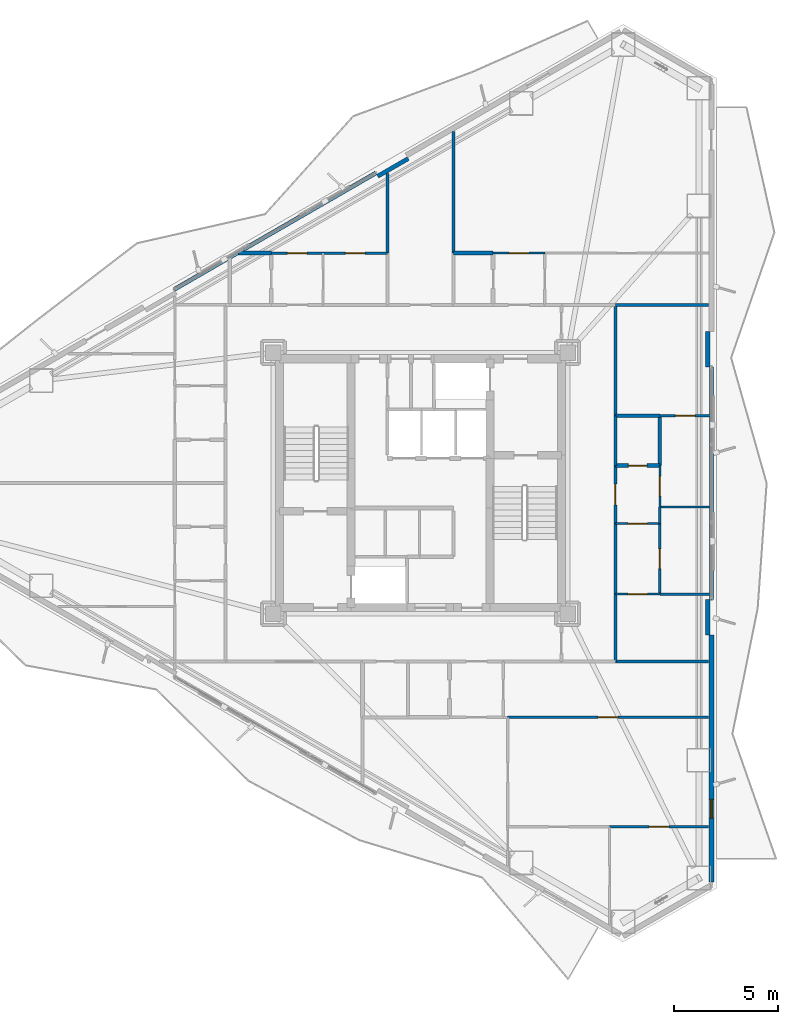
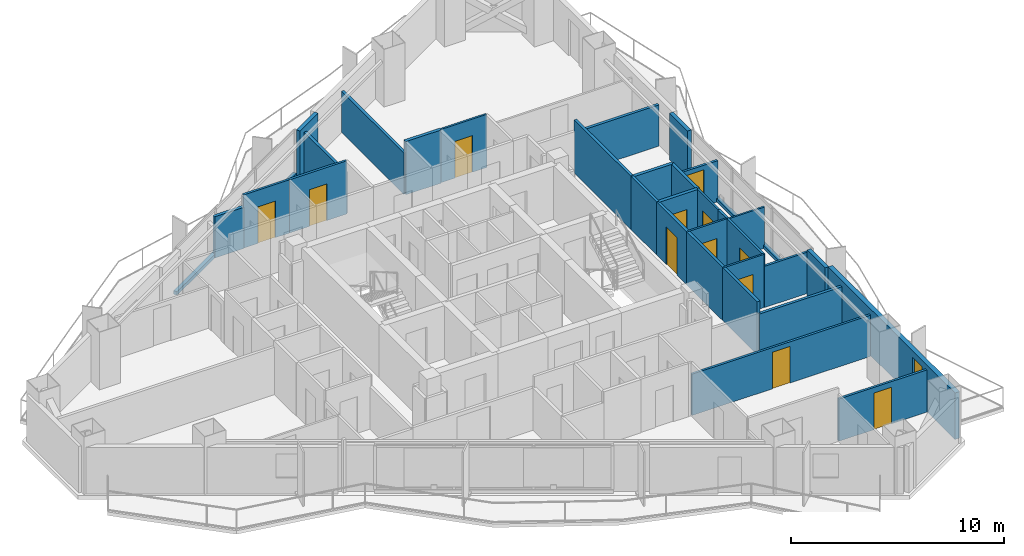
# One storey, part 19 of 23: 33 walls, 12 doors, 1 window, 13 openings.
"""IFC4 building model written with IfcOpenShell, lengths in metres."""

from ifc_helpers import new_model, si_unit, direction, frame, frame_2d, origin, place, context, subcontext, project, spatial, rectangle, extrude, material, layer, layer_set, type_object, element, fill, save


model = new_model("IFC4")

# Units and contexts
model_context = context("Model", 3, precision=1e-05, world=origin(), true_north=direction((0.0, 1.0)))
body_context = subcontext(model_context, "Body", "Model", "MODEL_VIEW")
ifc_project = project(units=[si_unit("LENGTHUNIT", "METRE"), si_unit("AREAUNIT", "SQUARE_METRE"), si_unit("VOLUMEUNIT", "CUBIC_METRE"), si_unit("PLANEANGLEUNIT", "RADIAN"), si_unit("MASSUNIT", "GRAM", prefix="KILO")], contexts=[model_context])

# Site, building, storey
site_placement = place(None, origin())
site = spatial("IfcSite", under=ifc_project, at=site_placement, CompositionType="ELEMENT")
building_placement = place(site_placement, origin())
building = spatial("IfcBuilding", under=site, at=building_placement, Name="Mersakhor Tower and Convention Hall", CompositionType="ELEMENT")
storey_placement = place(building_placement, frame((0.0, 0.0, 106.5)))
storey = spatial("IfcBuildingStorey", under=building, at=storey_placement, Name="L29", CompositionType="ELEMENT", Elevation=106.5)

# Wall, opening, window
ifc_material_1 = material(Name="Precast concrete C40/50", Category="concrete")
ifc_layer_1 = layer(ifc_material_1, 0.25)
ifc_layer_set_1 = layer_set([ifc_layer_1], Name="Precast concrete C40/50")
wall_type_1 = type_object("IfcWallType", Name="WL-EXT-250", PredefinedType="SOLIDWALL", material=ifc_layer_set_1)
wall_1_placement = place(storey_placement, frame((43.03466796875, 19.435302734375, 0.0), z_axis=(0.0, 0.0, 1.0), x_axis=(0.0, -1.0, 0.0)))
wall_1 = element("IfcWall", 1, at=wall_1_placement, inside=storey, type_object=wall_type_1, Name="L29 Exterior Facade Wall F2-B3", PredefinedType="SOLIDWALL", context=body_context, shape_type="SweptSolid", body=[
    extrude(rectangle(XDim=11.9296875, YDim=0.25, at=frame_2d((5.96484375, 0.0))), origin(), (0.0, 0.0, 1.0), 2.669921875),
])
opening_1_placement = place(wall_1_placement, frame((7.94091796875, 0.0, 0.89990234375)))
opening_1 = element("IfcOpeningElement", 2, at=opening_1_placement, cuts=wall_1, Name="Opening W-06", PredefinedType="OPENING", context=body_context, shape_type="SweptSolid", body=[
    extrude(rectangle(XDim=0.89990234375, YDim=1.39990234375, at=frame_2d((0.449951171875, 0.699951171875))), frame((0.0, 0.135009765625, 0.0), z_axis=(0.0, -1.0, 0.0), x_axis=(1.0, 0.0, 0.0)), (0.0, 0.0, 1.0), 0.27001953125),
])
ifc_material_2 = material(Name="Dark solar low-E glazed aluminium window", Category="aluminium")
window_type = type_object("IfcWindowType", Name="WN-STD-090x140", PartitioningType="SINGLE_PANEL", PredefinedType="WINDOW", material=ifc_material_2)
window_placement = place(opening_1_placement, origin())
window = element("IfcWindow", 3, at=window_placement, inside=storey, type_object=window_type, Name="L29 Facade Punched Window F2-B3", OverallHeight=1.39990234375, OverallWidth=0.89990234375, PartitioningType="SINGLE_PANEL", PredefinedType="WINDOW", context=body_context, shape_type="SweptSolid", body=[
    extrude(rectangle(XDim=0.89990234375, YDim=1.39990234375, at=frame_2d((0.449951171875, 0.699951171875))), frame((0.0, 0.030029296875, 0.0), z_axis=(0.0, -1.0, 0.0), x_axis=(1.0, 0.0, 0.0)), (0.0, 0.0, 1.0), 0.06005859375),
])
fill(opening_1, window)

# Walls
ifc_material_3 = material(Name="Precast concrete C40/50", Category="concrete")
ifc_layer_2 = layer(ifc_material_3, 0.199951171875)
ifc_layer_set_2 = layer_set([ifc_layer_2], Name="Precast concrete C40/50")
wall_type_2 = type_object("IfcWallType", Name="WL-PAR-200", PredefinedType="PARAPET", material=ifc_layer_set_2)
wall_2_placement = place(storey_placement, frame((17.1201171875, 36.096923828125, 0.0), z_axis=(0.0, 0.0, 1.0), x_axis=(0.866027010039, 0.499997217876, 0.0)))
element("IfcWall", 4, at=wall_2_placement, inside=storey, type_object=wall_type_2, Name="L29 Curtain Wall Upstand Sill F1-B2", PredefinedType="PARAPET", context=body_context, shape_type="SweptSolid", body=[
    extrude(rectangle(XDim=11.2294921875, YDim=0.199951171875, at=frame_2d((5.61474609375, 0.0))), origin(), (0.0, 0.0, 1.0), 0.199951171875),
])
wall_3_placement = place(storey_placement, frame((26.935302734375, 41.555908203125, 0.0), z_axis=(0.0, 0.0, 1.0), x_axis=(0.86605165483, 0.499954529098, 0.0)))
element("IfcWall", 5, at=wall_3_placement, inside=storey, type_object=wall_type_2, Name="L29 Column Pier Cladding Wall F1-C2", PredefinedType="PARAPET", context=body_context, shape_type="SweptSolid", body=[
    extrude(rectangle(XDim=1.699951171875, YDim=0.199951171875, at=frame_2d((0.85009765625, 0.0))), origin(), (0.0, 0.0, 1.0), 2.669921875),
])
wall_4_placement = place(storey_placement, frame((43.03466796875, 32.36474609375, 0.0), z_axis=(0.0, 0.0, 1.0), x_axis=(0.0, -1.0, 0.0)))
element("IfcWall", 6, at=wall_4_placement, inside=storey, type_object=wall_type_2, Name="L29 Curtain Wall Upstand Sill F2-B2", PredefinedType="PARAPET", context=body_context, shape_type="SweptSolid", body=[
    extrude(rectangle(XDim=11.2294921875, YDim=0.199951171875, at=frame_2d((5.61474609375, 0.0))), origin(), (0.0, 0.0, 1.0), 0.199951171875),
])
for number, where, z_axis, x_axis, name in (
    (7, (42.8544921875, 34.064697265625, 0.0), (0.0, 0.0, 1.0), (0.0, -1.0, 0.0), "L29 Column Pier Cladding Wall F2-C1"),
    (8, (42.8544921875, 21.13525390625, 0.0), (0.0, 0.0, 1.0), (0.0, -1.0, 0.0), "L29 Column Pier Cladding Wall F2-C2"),
):
    element("IfcWall", number, at=place(storey_placement, frame(where, z_axis=z_axis, x_axis=x_axis)), inside=storey, type_object=wall_type_2, Name=name, PredefinedType="PARAPET", context=body_context, shape_type="SweptSolid", body=[
        extrude(rectangle(XDim=1.699951171875, YDim=0.199951171875, at=frame_2d((0.85009765625, 0.0))), origin(), (0.0, 0.0, 1.0), 2.669921875),
    ])

# Wall, opening, door
ifc_material_4 = material(Name="Moisture-resistant acoustic drywall studwork", Category="other")
ifc_layer_3 = layer(ifc_material_4, 0.175048828125)
ifc_layer_set_3 = layer_set([ifc_layer_3], Name="Moisture-resistant acoustic drywall studwork")
wall_type_3 = type_object("IfcWallType", Name="WL-PLM-175", PredefinedType="PLUMBINGWALL", material=ifc_layer_set_3)
wall_5_placement = place(storey_placement, frame((38.39990234375, 27.60009765625, 0.0), z_axis=(0.0, 0.0, 1.0), x_axis=(1.0, 0.0, 0.0)))
wall_5 = element("IfcWall", 9, at=wall_5_placement, inside=storey, type_object=wall_type_3, Name="L29 Interior Partition Wall P-083", PredefinedType="PLUMBINGWALL", context=body_context, shape_type="SweptSolid", body=[
    extrude(rectangle(XDim=2.150146484375, YDim=0.175048828125, at=frame_2d((1.0751953125, 0.0))), origin(), (0.0, 0.0, 1.0), 3.050048828125),
])
opening_2_placement = place(wall_5_placement, frame((0.625, 0.0, 0.0)))
opening_2 = element("IfcOpeningElement", 10, at=opening_2_placement, cuts=wall_5, Name="Opening WD-01", PredefinedType="OPENING", context=body_context, shape_type="SweptSolid", body=[
    extrude(rectangle(XDim=0.89990234375, YDim=2.10009765625, at=frame_2d((0.449951171875, 1.050048828125))), frame((0.0, 0.097412109375, 0.0), z_axis=(0.0, -1.0, 0.0), x_axis=(1.0, 0.0, 0.0)), (0.0, 0.0, 1.0), 0.195068359375),
])
ifc_material_5 = material(Name="Solid-core hardwood leaf in painted steel frame", Category="steel")
door_type_1 = type_object("IfcDoorType", Name="DR-INT-WET-090x210", OperationType="NOTDEFINED", PredefinedType="DOOR", material=ifc_material_5)
door_1_placement = place(opening_2_placement, origin())
door_1 = element("IfcDoor", 11, at=door_1_placement, inside=storey, type_object=door_type_1, Name="L29 L29 Flat E6 Apartment Hall to L29 Flat E6 Bathroom Door", OperationType="SINGLE_SWING_LEFT", OverallHeight=2.10009765625, OverallWidth=0.89990234375, PredefinedType="DOOR", context=body_context, shape_type="SweptSolid", body=[
    extrude(rectangle(XDim=0.89990234375, YDim=2.10009765625, at=frame_2d((0.449951171875, 1.050048828125))), frame((0.0, 0.02490234375, 0.0), z_axis=(0.0, -1.0, 0.0), x_axis=(1.0, 0.0, 0.0)), (0.0, 0.0, 1.0), 0.050048828125),
])
fill(opening_2, door_1)

# Walls
wall_6_placement = place(storey_placement, frame((20.221923828125, 37.85009765625, 0.0), z_axis=(0.0, 0.0, 1.0), x_axis=(1.0, 0.0, 0.0)))
element("IfcWall", 12, at=wall_6_placement, inside=storey, type_object=wall_type_3, Name="L29 Interior Partition Wall P-088", PredefinedType="PLUMBINGWALL", context=body_context, shape_type="SweptSolid", body=[
    extrude(rectangle(XDim=1.578125, YDim=0.175048828125, at=frame_2d((0.7890625, 0.0))), origin(), (0.0, 0.0, 1.0), 2.364990234375),
])
wall_7_placement = place(storey_placement, frame((30.60009765625, 37.85009765625, 0.0), z_axis=(0.0, 0.0, 1.0), x_axis=(1.0, 0.0, 0.0)))
element("IfcWall", 13, at=wall_7_placement, inside=storey, type_object=wall_type_3, Name="L29 Interior Partition Wall P-091", PredefinedType="PLUMBINGWALL", context=body_context, shape_type="SweptSolid", body=[
    extrude(rectangle(XDim=1.89990234375, YDim=0.175048828125, at=frame_2d((0.949951171875, 0.0))), origin(), (0.0, 0.0, 1.0), 3.050048828125),
])
wall_8_placement = place(storey_placement, frame((40.550048828125, 30.0, 0.0), z_axis=(0.0, 0.0, 1.0), x_axis=(0.0, -1.0, 0.0)))
element("IfcWall", 14, at=wall_8_placement, inside=storey, type_object=wall_type_3, Name="L29 Interior Partition Wall P-108", PredefinedType="PLUMBINGWALL", context=body_context, shape_type="SweptSolid", body=[
    extrude(rectangle(XDim=2.39990234375, YDim=0.175048828125, at=frame_2d((1.199951171875, 0.0))), origin(), (0.0, 0.0, 1.0), 3.050048828125),
])
wall_9_placement = place(storey_placement, frame((38.39990234375, 30.0, 0.0), z_axis=(0.0, 0.0, 1.0), x_axis=(1.0, 0.0, 0.0)))
element("IfcWall", 15, at=wall_9_placement, inside=storey, type_object=wall_type_3, Name="L29 Interior Partition Wall P-109", PredefinedType="PLUMBINGWALL", context=body_context, shape_type="SweptSolid", body=[
    extrude(rectangle(XDim=2.150146484375, YDim=0.175048828125, at=frame_2d((1.0751953125, 0.0))), origin(), (0.0, 0.0, 1.0), 3.050048828125),
])

# Wall, opening, door
ifc_material_6 = material(Name="Lightweight gypsum partition", Category="other")
ifc_layer_4 = layer(ifc_material_6, 0.10009765625)
ifc_layer_set_4 = layer_set([ifc_layer_4], Name="Lightweight gypsum partition")
wall_type_4 = type_object("IfcWallType", Name="WL-PRT-100", PredefinedType="PARTITIONING", material=ifc_layer_set_4)
wall_10_placement = place(storey_placement, frame((32.5, 37.85009765625, 0.0), z_axis=(0.0, 0.0, 1.0), x_axis=(1.0, 0.0, 0.0)))
wall_10 = element("IfcWall", 16, at=wall_10_placement, inside=storey, type_object=wall_type_4, Name="L29 Interior Partition Wall P-068", PredefinedType="PARTITIONING", context=body_context, shape_type="SweptSolid", body=[
    extrude(rectangle(XDim=2.5, YDim=0.10009765625, at=frame_2d((1.25, 0.0))), origin(), (0.0, 0.0, 1.0), 3.050048828125),
])
opening_3_placement = place(wall_10_placement, frame((0.77490234375, 0.0, 0.0)))
opening_3 = element("IfcOpeningElement", 17, at=opening_3_placement, cuts=wall_10, Name="Opening RD-01", PredefinedType="OPENING", context=body_context, shape_type="SweptSolid", body=[
    extrude(rectangle(XDim=0.949951171875, YDim=2.10009765625, at=frame_2d((0.47509765625, 1.050048828125))), frame((0.0, 0.06005859375, 0.0), z_axis=(0.0, -1.0, 0.0), x_axis=(1.0, 0.0, 0.0)), (0.0, 0.0, 1.0), 0.1201171875),
])
ifc_material_7 = material(Name="Solid-core hardwood leaf in painted steel frame", Category="steel")
door_type_2 = type_object("IfcDoorType", Name="DR-INT-RM-095x210", OperationType="NOTDEFINED", PredefinedType="DOOR", material=ifc_material_7)
door_2_placement = place(opening_3_placement, origin())
door_2 = element("IfcDoor", 18, at=door_2_placement, inside=storey, type_object=door_type_2, Name="L29 L29 Flat N2 Apartment Hall to L29 Flat N2 Studio Living and Sleeping Room Door", OperationType="SINGLE_SWING_LEFT", OverallHeight=2.10009765625, OverallWidth=0.949951171875, PredefinedType="DOOR", context=body_context, shape_type="SweptSolid", body=[
    extrude(rectangle(XDim=0.949951171875, YDim=2.10009765625, at=frame_2d((0.47509765625, 1.050048828125))), frame((0.0, 0.02490234375, 0.0), z_axis=(0.0, -1.0, 0.0), x_axis=(1.0, 0.0, 0.0)), (0.0, 0.0, 1.0), 0.050048828125),
])
fill(opening_3, door_2)

wall_11_placement = place(storey_placement, frame((40.550048828125, 27.60009765625, 0.0), z_axis=(0.0, 0.0, 1.0), x_axis=(0.0, -1.0, 0.0)))
wall_11 = element("IfcWall", 19, at=wall_11_placement, inside=storey, type_object=wall_type_4, Name="L29 Interior Partition Wall P-080", PredefinedType="PARTITIONING", context=body_context, shape_type="SweptSolid", body=[
    extrude(rectangle(XDim=2.0, YDim=0.10009765625, at=frame_2d((1.0, 0.0))), origin(), (0.0, 0.0, 1.0), 3.050048828125),
])
opening_4_placement = place(wall_11_placement, frame((0.52490234375, 0.0, 0.0)))
opening_4 = element("IfcOpeningElement", 20, at=opening_4_placement, cuts=wall_11, Name="Opening RD-01", PredefinedType="OPENING", context=body_context, shape_type="SweptSolid", body=[
    extrude(rectangle(XDim=0.949951171875, YDim=2.10009765625, at=frame_2d((0.47509765625, 1.050048828125))), frame((0.0, 0.06005859375, 0.0), z_axis=(0.0, -1.0, 0.0), x_axis=(1.0, 0.0, 0.0)), (0.0, 0.0, 1.0), 0.1201171875),
])
door_3_placement = place(opening_4_placement, origin())
door_3 = element("IfcDoor", 21, at=door_3_placement, inside=storey, type_object=door_type_2, Name="L29 L29 Flat E6 Apartment Hall to L29 Flat E6 Master Bedroom Door", OperationType="SINGLE_SWING_RIGHT", OverallHeight=2.10009765625, OverallWidth=0.949951171875, PredefinedType="DOOR", context=body_context, shape_type="SweptSolid", body=[
    extrude(rectangle(XDim=0.949951171875, YDim=2.10009765625, at=frame_2d((0.47509765625, 1.050048828125))), frame((0.0, 0.02490234375, 0.0), z_axis=(0.0, -1.0, 0.0), x_axis=(1.0, 0.0, 0.0)), (0.0, 0.0, 1.0), 0.050048828125),
])
fill(opening_4, door_3)

wall_12_placement = place(storey_placement, frame((40.550048828125, 24.800048828125, 0.0), z_axis=(0.0, 0.0, 1.0), x_axis=(-1.0, 0.0, 0.0)))
wall_12 = element("IfcWall", 22, at=wall_12_placement, inside=storey, type_object=wall_type_4, Name="L29 Interior Partition Wall P-082", PredefinedType="PARTITIONING", context=body_context, shape_type="SweptSolid", body=[
    extrude(rectangle(XDim=2.150146484375, YDim=0.10009765625, at=frame_2d((1.0751953125, 0.0))), origin(), (0.0, 0.0, 1.0), 3.050048828125),
])
opening_5_placement = place(wall_12_placement, frame((0.60009765625, 0.0, 0.0)))
opening_5 = element("IfcOpeningElement", 23, at=opening_5_placement, cuts=wall_12, Name="Opening RD-01", PredefinedType="OPENING", context=body_context, shape_type="SweptSolid", body=[
    extrude(rectangle(XDim=0.949951171875, YDim=2.10009765625, at=frame_2d((0.47509765625, 1.050048828125))), frame((0.0, 0.06005859375, 0.0), z_axis=(0.0, -1.0, 0.0), x_axis=(1.0, 0.0, 0.0)), (0.0, 0.0, 1.0), 0.1201171875),
])
door_4_placement = place(opening_5_placement, origin())
door_4 = element("IfcDoor", 24, at=door_4_placement, inside=storey, type_object=door_type_2, Name="L29 L29 Flat E6 Apartment Hall to L29 Flat E6 Dining Alcove Door", OperationType="SINGLE_SWING_LEFT", OverallHeight=2.10009765625, OverallWidth=0.949951171875, PredefinedType="DOOR", context=body_context, shape_type="SweptSolid", body=[
    extrude(rectangle(XDim=0.949951171875, YDim=2.10009765625, at=frame_2d((0.47509765625, 1.050048828125))), frame((0.0, 0.02490234375, 0.0), z_axis=(0.0, -1.0, 0.0), x_axis=(1.0, 0.0, 0.0)), (0.0, 0.0, 1.0), 0.050048828125),
])
fill(opening_5, door_4)

wall_13_placement = place(storey_placement, frame((38.39990234375, 21.39990234375, 0.0), z_axis=(0.0, 0.0, 1.0), x_axis=(1.0, 0.0, 0.0)))
wall_13 = element("IfcWall", 25, at=wall_13_placement, inside=storey, type_object=wall_type_4, Name="L29 Interior Partition Wall P-110", PredefinedType="PARTITIONING", context=body_context, shape_type="SweptSolid", body=[
    extrude(rectangle(XDim=2.150146484375, YDim=0.10009765625, at=frame_2d((1.0751953125, 0.0))), origin(), (0.0, 0.0, 1.0), 3.050048828125),
])
opening_6_placement = place(wall_13_placement, frame((0.60009765625, 0.0, 0.0)))
opening_6 = element("IfcOpeningElement", 26, at=opening_6_placement, cuts=wall_13, Name="Opening RD-01", PredefinedType="OPENING", context=body_context, shape_type="SweptSolid", body=[
    extrude(rectangle(XDim=0.949951171875, YDim=2.10009765625, at=frame_2d((0.47509765625, 1.050048828125))), frame((0.0, 0.06005859375, 0.0), z_axis=(0.0, -1.0, 0.0), x_axis=(1.0, 0.0, 0.0)), (0.0, 0.0, 1.0), 0.1201171875),
])
door_5_placement = place(opening_6_placement, origin())
door_5 = element("IfcDoor", 27, at=door_5_placement, inside=storey, type_object=door_type_2, Name="L29 L29 Flat E6 Kitchen to L29 Flat E6 Dining Alcove Door", OperationType="SINGLE_SWING_LEFT", OverallHeight=2.10009765625, OverallWidth=0.949951171875, PredefinedType="DOOR", context=body_context, shape_type="SweptSolid", body=[
    extrude(rectangle(XDim=0.949951171875, YDim=2.10009765625, at=frame_2d((0.47509765625, 1.050048828125))), frame((0.0, 0.02490234375, 0.0), z_axis=(0.0, -1.0, 0.0), x_axis=(1.0, 0.0, 0.0)), (0.0, 0.0, 1.0), 0.050048828125),
])
fill(opening_6, door_5)

# Wall
wall_14_placement = place(storey_placement, frame((42.99853515625, 25.60009765625, 0.0), z_axis=(0.0, 0.0, 1.0), x_axis=(-1.0, 0.0, 0.0)))
element("IfcWall", 28, at=wall_14_placement, inside=storey, type_object=wall_type_4, Name="L29 Interior Partition Wall P-130", PredefinedType="PARTITIONING", context=body_context, shape_type="SweptSolid", body=[
    extrude(rectangle(XDim=2.448486328125, YDim=0.10009765625, at=frame_2d((1.22412109375, 0.0))), origin(), (0.0, 0.0, 1.0), 2.364990234375),
])

# Wall, opening, door
ifc_material_8 = material(Name="Gypsum board acoustic partition", Category="other")
ifc_layer_5 = layer(ifc_material_8, 0.125)
ifc_layer_set_5 = layer_set([ifc_layer_5], Name="Gypsum board acoustic partition")
wall_type_5 = type_object("IfcWallType", Name="WL-PRT-125", PredefinedType="PARTITIONING", material=ifc_layer_set_5)
wall_15_placement = place(storey_placement, frame((21.800048828125, 37.85009765625, 0.0), z_axis=(0.0, 0.0, 1.0), x_axis=(1.0, 0.0, 0.0)))
wall_15 = element("IfcWall", 29, at=wall_15_placement, inside=storey, type_object=wall_type_5, Name="L29 Interior Partition Wall P-065", PredefinedType="PARTITIONING", context=body_context, shape_type="SweptSolid", body=[
    extrude(rectangle(XDim=2.5, YDim=0.125, at=frame_2d((1.25, 0.0))), origin(), (0.0, 0.0, 1.0), 3.050048828125),
])
opening_7_placement = place(wall_15_placement, frame((0.77490234375, 0.0, 0.0)))
opening_7 = element("IfcOpeningElement", 30, at=opening_7_placement, cuts=wall_15, Name="Opening RD-01", PredefinedType="OPENING", context=body_context, shape_type="SweptSolid", body=[
    extrude(rectangle(XDim=0.949951171875, YDim=2.10009765625, at=frame_2d((0.47509765625, 1.050048828125))), frame((0.0, 0.072509765625, 0.0), z_axis=(0.0, -1.0, 0.0), x_axis=(1.0, 0.0, 0.0)), (0.0, 0.0, 1.0), 0.14501953125),
])
door_6_placement = place(opening_7_placement, origin())
door_6 = element("IfcDoor", 31, at=door_6_placement, inside=storey, type_object=door_type_2, Name="L29 L29 Flat N1 Apartment Hall to L29 Flat N1 Studio Living and Sleeping Room Door", OperationType="SINGLE_SWING_RIGHT", OverallHeight=2.10009765625, OverallWidth=0.949951171875, PredefinedType="DOOR", context=body_context, shape_type="SweptSolid", body=[
    extrude(rectangle(XDim=0.949951171875, YDim=2.10009765625, at=frame_2d((0.47509765625, 1.050048828125))), frame((0.0, 0.02490234375, 0.0), z_axis=(0.0, -1.0, 0.0), x_axis=(1.0, 0.0, 0.0)), (0.0, 0.0, 1.0), 0.050048828125),
])
fill(opening_7, door_6)

# Wall
wall_16_placement = place(storey_placement, frame((40.550048828125, 25.60009765625, 0.0), z_axis=(0.0, 0.0, 1.0), x_axis=(0.0, -1.0, 0.0)))
element("IfcWall", 32, at=wall_16_placement, inside=storey, type_object=wall_type_5, Name="L29 Interior Partition Wall P-081", PredefinedType="PARTITIONING", context=body_context, shape_type="SweptSolid", body=[
    extrude(rectangle(XDim=0.800048828125, YDim=0.125, at=frame_2d((0.39990234375, 0.0))), origin(), (0.0, 0.0, 1.0), 3.050048828125),
])

# Wall, opening, door
wall_17_placement = place(storey_placement, frame((24.300048828125, 37.85009765625, 0.0), z_axis=(0.0, 0.0, 1.0), x_axis=(1.0, 0.0, 0.0)))
wall_17 = element("IfcWall", 33, at=wall_17_placement, inside=storey, type_object=wall_type_5, Name="L29 Interior Partition Wall P-089", PredefinedType="PARTITIONING", context=body_context, shape_type="SweptSolid", body=[
    extrude(rectangle(XDim=3.099853515625, YDim=0.125, at=frame_2d((1.5498046875, 0.0))), origin(), (0.0, 0.0, 1.0), 3.050048828125),
])
opening_8_placement = place(wall_17_placement, frame((1.074951171875, 0.0, 0.0)))
opening_8 = element("IfcOpeningElement", 34, at=opening_8_placement, cuts=wall_17, Name="Opening RD-01", PredefinedType="OPENING", context=body_context, shape_type="SweptSolid", body=[
    extrude(rectangle(XDim=0.949951171875, YDim=2.10009765625, at=frame_2d((0.47509765625, 1.050048828125))), frame((0.0, 0.072509765625, 0.0), z_axis=(0.0, -1.0, 0.0), x_axis=(1.0, 0.0, 0.0)), (0.0, 0.0, 1.0), 0.14501953125),
])
door_7_placement = place(opening_8_placement, origin())
door_7 = element("IfcDoor", 35, at=door_7_placement, inside=storey, type_object=door_type_2, Name="L29 L29 Flat N1 Kitchen to L29 Flat N1 Studio Living and Sleeping Room Door", OperationType="SINGLE_SWING_RIGHT", OverallHeight=2.10009765625, OverallWidth=0.949951171875, PredefinedType="DOOR", context=body_context, shape_type="SweptSolid", body=[
    extrude(rectangle(XDim=0.949951171875, YDim=2.10009765625, at=frame_2d((0.47509765625, 1.050048828125))), frame((0.0, 0.02490234375, 0.0), z_axis=(0.0, -1.0, 0.0), x_axis=(1.0, 0.0, 0.0)), (0.0, 0.0, 1.0), 0.050048828125),
])
fill(opening_8, door_7)

wall_18_placement = place(storey_placement, frame((42.885498046875, 15.449951171875, 0.0), z_axis=(0.0, 0.0, 1.0), x_axis=(-1.0, 0.0, 0.0)))
wall_18 = element("IfcWall", 36, at=wall_18_placement, inside=storey, type_object=wall_type_5, Name="L29 Interior Partition Wall P-097", PredefinedType="PARTITIONING", context=body_context, shape_type="SweptSolid", body=[
    extrude(rectangle(XDim=9.685546875, YDim=0.125, at=frame_2d((4.8427734375, 0.0))), origin(), (0.0, 0.0, 1.0), 2.364990234375),
])
opening_9_placement = place(wall_18_placement, frame((4.367919921875, 0.0, 0.0)))
opening_9 = element("IfcOpeningElement", 37, at=opening_9_placement, cuts=wall_18, Name="Opening RD-01", PredefinedType="OPENING", context=body_context, shape_type="SweptSolid", body=[
    extrude(rectangle(XDim=0.949951171875, YDim=2.10009765625, at=frame_2d((0.47509765625, 1.050048828125))), frame((0.0, 0.072509765625, 0.0), z_axis=(0.0, -1.0, 0.0), x_axis=(1.0, 0.0, 0.0)), (0.0, 0.0, 1.0), 0.14501953125),
])
door_8_placement = place(opening_9_placement, origin())
door_8 = element("IfcDoor", 38, at=door_8_placement, inside=storey, type_object=door_type_2, Name="L29 L29 Flat S3 Kitchen to L29 Flat S3 Dining Room Door", OperationType="SINGLE_SWING_RIGHT", OverallHeight=2.10009765625, OverallWidth=0.949951171875, PredefinedType="DOOR", context=body_context, shape_type="SweptSolid", body=[
    extrude(rectangle(XDim=0.949951171875, YDim=2.10009765625, at=frame_2d((0.47509765625, 1.050048828125))), frame((0.0, 0.02490234375, 0.0), z_axis=(0.0, -1.0, 0.0), x_axis=(1.0, 0.0, 0.0)), (0.0, 0.0, 1.0), 0.050048828125),
])
fill(opening_9, door_8)

# Wall
wall_19_placement = place(storey_placement, frame((40.550048828125, 21.39990234375, 0.0), z_axis=(0.0, 0.0, 1.0), x_axis=(1.0, 0.0, 0.0)))
element("IfcWall", 39, at=wall_19_placement, inside=storey, type_object=wall_type_5, Name="L29 Interior Partition Wall P-111", PredefinedType="PARTITIONING", context=body_context, shape_type="SweptSolid", body=[
    extrude(rectangle(XDim=2.448486328125, YDim=0.125, at=frame_2d((1.22412109375, 0.0))), origin(), (0.0, 0.0, 1.0), 2.364990234375),
])

# Wall, opening, door
wall_20_placement = place(storey_placement, frame((38.1201171875, 10.169921875, 0.0), z_axis=(0.0, 0.0, 1.0), x_axis=(1.0, 0.0, 0.0)))
wall_20 = element("IfcWall", 40, at=wall_20_placement, inside=storey, type_object=wall_type_5, Name="L29 Interior Partition Wall P-123", PredefinedType="PARTITIONING", context=body_context, shape_type="SweptSolid", body=[
    extrude(rectangle(XDim=4.765380859375, YDim=0.125, at=frame_2d((2.3828125, 0.0))), origin(), (0.0, 0.0, 1.0), 2.4228515625),
])
opening_10_placement = place(wall_20_placement, frame((1.90771484375, 0.0, 0.0)))
opening_10 = element("IfcOpeningElement", 41, at=opening_10_placement, cuts=wall_20, Name="Opening RD-01", PredefinedType="OPENING", context=body_context, shape_type="SweptSolid", body=[
    extrude(rectangle(XDim=0.949951171875, YDim=2.10009765625, at=frame_2d((0.47509765625, 1.050048828125))), frame((0.0, 0.072509765625, 0.0), z_axis=(0.0, -1.0, 0.0), x_axis=(1.0, 0.0, 0.0)), (0.0, 0.0, 1.0), 0.14501953125),
])
door_9_placement = place(opening_10_placement, origin())
door_9 = element("IfcDoor", 42, at=door_9_placement, inside=storey, type_object=door_type_2, Name="L29 L29 Flat S3 Study Room to L29 Flat S3 Dining Room Door", OperationType="SINGLE_SWING_RIGHT", OverallHeight=2.10009765625, OverallWidth=0.949951171875, PredefinedType="DOOR", context=body_context, shape_type="SweptSolid", body=[
    extrude(rectangle(XDim=0.949951171875, YDim=2.10009765625, at=frame_2d((0.47509765625, 1.050048828125))), frame((0.0, 0.02490234375, 0.0), z_axis=(0.0, -1.0, 0.0), x_axis=(1.0, 0.0, 0.0)), (0.0, 0.0, 1.0), 0.050048828125),
])
fill(opening_10, door_9)

wall_21_placement = place(storey_placement, frame((42.99853515625, 30.0, 0.0), z_axis=(0.0, 0.0, 1.0), x_axis=(-1.0, 0.0, 0.0)))
wall_21 = element("IfcWall", 43, at=wall_21_placement, inside=storey, type_object=wall_type_5, Name="L29 Interior Partition Wall P-129", PredefinedType="PARTITIONING", context=body_context, shape_type="SweptSolid", body=[
    extrude(rectangle(XDim=2.448486328125, YDim=0.125, at=frame_2d((1.22412109375, 0.0))), origin(), (0.0, 0.0, 1.0), 2.364990234375),
])
opening_11_placement = place(wall_21_placement, frame((0.749267578125, 0.0, 0.0)))
opening_11 = element("IfcOpeningElement", 44, at=opening_11_placement, cuts=wall_21, Name="Opening RD-01", PredefinedType="OPENING", context=body_context, shape_type="SweptSolid", body=[
    extrude(rectangle(XDim=0.949951171875, YDim=2.10009765625, at=frame_2d((0.47509765625, 1.050048828125))), frame((0.0, 0.072509765625, 0.0), z_axis=(0.0, -1.0, 0.0), x_axis=(1.0, 0.0, 0.0)), (0.0, 0.0, 1.0), 0.14501953125),
])
door_10_placement = place(opening_11_placement, origin())
door_10 = element("IfcDoor", 45, at=door_10_placement, inside=storey, type_object=door_type_2, Name="L29 L29 Flat E6 Living and Dining Room to L29 Flat E6 Master Bedroom Door", OperationType="SINGLE_SWING_LEFT", OverallHeight=2.10009765625, OverallWidth=0.949951171875, PredefinedType="DOOR", context=body_context, shape_type="SweptSolid", body=[
    extrude(rectangle(XDim=0.949951171875, YDim=2.10009765625, at=frame_2d((0.47509765625, 1.050048828125))), frame((0.0, 0.02490234375, 0.0), z_axis=(0.0, -1.0, 0.0), x_axis=(1.0, 0.0, 0.0)), (0.0, 0.0, 1.0), 0.050048828125),
])
fill(opening_11, door_10)

wall_22_placement = place(storey_placement, frame((40.550048828125, 21.39990234375, 0.0), z_axis=(0.0, 0.0, 1.0), x_axis=(0.0, 1.0, 0.0)))
wall_22 = element("IfcWall", 46, at=wall_22_placement, inside=storey, type_object=wall_type_5, Name="L29 Interior Partition Wall P-131", PredefinedType="PARTITIONING", context=body_context, shape_type="SweptSolid", body=[
    extrude(rectangle(XDim=3.400146484375, YDim=0.125, at=frame_2d((1.7001953125, 0.0))), origin(), (0.0, 0.0, 1.0), 3.050048828125),
])
opening_12_placement = place(wall_22_placement, frame((1.22509765625, 0.0, 0.0)))
opening_12 = element("IfcOpeningElement", 47, at=opening_12_placement, cuts=wall_22, Name="Opening RD-01", PredefinedType="OPENING", context=body_context, shape_type="SweptSolid", body=[
    extrude(rectangle(XDim=0.949951171875, YDim=2.10009765625, at=frame_2d((0.47509765625, 1.050048828125))), frame((0.0, 0.072509765625, 0.0), z_axis=(0.0, -1.0, 0.0), x_axis=(1.0, 0.0, 0.0)), (0.0, 0.0, 1.0), 0.14501953125),
])
door_11_placement = place(opening_12_placement, origin())
door_11 = element("IfcDoor", 48, at=door_11_placement, inside=storey, type_object=door_type_2, Name="L29 L29 Flat E6 Bedroom 2 to L29 Flat E6 Dining Alcove Door", OperationType="SINGLE_SWING_RIGHT", OverallHeight=2.10009765625, OverallWidth=0.949951171875, PredefinedType="DOOR", context=body_context, shape_type="SweptSolid", body=[
    extrude(rectangle(XDim=0.949951171875, YDim=2.10009765625, at=frame_2d((0.47509765625, 1.050048828125))), frame((0.0, 0.02490234375, 0.0), z_axis=(0.0, -1.0, 0.0), x_axis=(1.0, 0.0, 0.0)), (0.0, 0.0, 1.0), 0.050048828125),
])
fill(opening_12, door_11)

# Walls
ifc_material_9 = material(Name="Fire-rated gypsum board stud partition", Category="other")
ifc_layer_6 = layer(ifc_material_9, 0.14990234375)
ifc_layer_set_6 = layer_set([ifc_layer_6], Name="Fire-rated gypsum board stud partition")
wall_type_6 = type_object("IfcWallType", Name="WL-PRT-150", PredefinedType="PARTITIONING", material=ifc_layer_set_6)
wall_23_placement = place(storey_placement, frame((38.39990234375, 35.35009765625, 0.0), z_axis=(0.0, 0.0, 1.0), x_axis=(0.0, -1.0, 0.0)))
element("IfcWall", 49, at=wall_23_placement, inside=storey, type_object=wall_type_6, Name="L29 Interior Partition Wall P-057", PredefinedType="PARTITIONING", context=body_context, shape_type="SweptSolid", body=[
    extrude(rectangle(XDim=5.35009765625, YDim=0.14990234375, at=frame_2d((2.675048828125, 0.0))), origin(), (0.0, 0.0, 1.0), 3.050048828125),
])
wall_24_placement = place(storey_placement, frame((38.39990234375, 30.0, 0.0), z_axis=(0.0, 0.0, 1.0), x_axis=(0.0, -1.0, 0.0)))
element("IfcWall", 50, at=wall_24_placement, inside=storey, type_object=wall_type_6, Name="L29 Interior Partition Wall P-058", PredefinedType="PARTITIONING", context=body_context, shape_type="SweptSolid", body=[
    extrude(rectangle(XDim=2.39990234375, YDim=0.14990234375, at=frame_2d((1.199951171875, 0.0))), origin(), (0.0, 0.0, 1.0), 3.050048828125),
])

# Wall, opening, door
wall_25_placement = place(storey_placement, frame((38.39990234375, 27.60009765625, 0.0), z_axis=(0.0, 0.0, 1.0), x_axis=(0.0, -1.0, 0.0)))
wall_25 = element("IfcWall", 51, at=wall_25_placement, inside=storey, type_object=wall_type_6, Name="L29 Interior Partition Wall P-059", PredefinedType="PARTITIONING", context=body_context, shape_type="SweptSolid", body=[
    extrude(rectangle(XDim=2.800048828125, YDim=0.14990234375, at=frame_2d((1.39990234375, 0.0))), origin(), (0.0, 0.0, 1.0), 3.050048828125),
])
opening_13_placement = place(wall_25_placement, frame((0.89990234375, 0.0, 0.0)))
opening_13 = element("IfcOpeningElement", 52, at=opening_13_placement, cuts=wall_25, Name="Opening FD-01", PredefinedType="OPENING", context=body_context, shape_type="SweptSolid", body=[
    extrude(rectangle(XDim=1.0, YDim=2.14990234375, at=frame_2d((0.5, 1.074951171875))), frame((0.0, 0.0849609375, 0.0), z_axis=(0.0, -1.0, 0.0), x_axis=(1.0, 0.0, 0.0)), (0.0, 0.0, 1.0), 0.169921875),
])
ifc_material_10 = material(Name="Fire-rated hardwood leaf and painted steel frame", Category="steel")
door_type_3 = type_object("IfcDoorType", Name="DR-INT-FLT-100x215", OperationType="NOTDEFINED", PredefinedType="DOOR", material=ifc_material_10)
door_12_placement = place(opening_13_placement, origin())
door_12 = element("IfcDoor", 53, at=door_12_placement, inside=storey, type_object=door_type_3, Name="L29 Apartment Entrance Door (Residential Ring East Corridor to L29 Flat E6 Apartment Hall)", OperationType="SINGLE_SWING_LEFT", OverallHeight=2.14990234375, OverallWidth=1.0, PredefinedType="DOOR", context=body_context, shape_type="SweptSolid", body=[
    extrude(rectangle(XDim=1.0, YDim=2.14990234375, at=frame_2d((0.5, 1.074951171875))), frame((0.0, 0.02490234375, 0.0), z_axis=(0.0, -1.0, 0.0), x_axis=(1.0, 0.0, 0.0)), (0.0, 0.0, 1.0), 0.050048828125),
])
fill(opening_13, door_12)

# Walls
wall_26_placement = place(storey_placement, frame((38.39990234375, 24.800048828125, 0.0), z_axis=(0.0, 0.0, 1.0), x_axis=(0.0, -1.0, 0.0)))
element("IfcWall", 54, at=wall_26_placement, inside=storey, type_object=wall_type_6, Name="L29 Interior Partition Wall P-060", PredefinedType="PARTITIONING", context=body_context, shape_type="SweptSolid", body=[
    extrude(rectangle(XDim=3.400146484375, YDim=0.14990234375, at=frame_2d((1.7001953125, 0.0))), origin(), (0.0, 0.0, 1.0), 3.050048828125),
])
wall_27_placement = place(storey_placement, frame((38.39990234375, 21.39990234375, 0.0), z_axis=(0.0, 0.0, 1.0), x_axis=(0.0, -1.0, 0.0)))
element("IfcWall", 55, at=wall_27_placement, inside=storey, type_object=wall_type_6, Name="L29 Interior Partition Wall P-061", PredefinedType="PARTITIONING", context=body_context, shape_type="SweptSolid", body=[
    extrude(rectangle(XDim=3.25, YDim=0.14990234375, at=frame_2d((1.625, 0.0))), origin(), (0.0, 0.0, 1.0), 3.050048828125),
])
for number, where, z_axis, x_axis, name in (
    (56, (42.885498046875, 35.35009765625, 0.0), (0.0, 0.0, 1.0), (-1.0, 0.0, 0.0), "L29 Interior Partition Wall P-093"),
    (57, (38.39990234375, 18.14990234375, 0.0), (0.0, 0.0, 1.0), (1.0, 0.0, 0.0), "L29 Interior Partition Wall P-096"),
):
    element("IfcWall", number, at=place(storey_placement, frame(where, z_axis=z_axis, x_axis=x_axis)), inside=storey, type_object=wall_type_6, Name=name, PredefinedType="PARTITIONING", context=body_context, shape_type="SweptSolid", body=[
        extrude(rectangle(XDim=4.485595703125, YDim=0.14990234375, at=frame_2d((2.24267578125, 0.0))), origin(), (0.0, 0.0, 1.0), 2.364990234375),
    ])
wall_28_placement = place(storey_placement, frame((30.60009765625, 43.70751953125, 0.0), z_axis=(0.0, 0.0, 1.0), x_axis=(0.0, -1.0, 0.0)))
element("IfcWall", 58, at=wall_28_placement, inside=storey, type_object=wall_type_6, Name="L29 Interior Partition Wall P-113", PredefinedType="PARTITIONING", context=body_context, shape_type="SweptSolid", body=[
    extrude(rectangle(XDim=5.857421875, YDim=0.14990234375, at=frame_2d((2.9287109375, 0.0))), origin(), (0.0, 0.0, 1.0), 2.364990234375),
])
wall_29_placement = place(storey_placement, frame((27.39990234375, 37.85009765625, 0.0), z_axis=(0.0, 0.0, 1.0), x_axis=(0.0, 1.0, 0.0)))
element("IfcWall", 59, at=wall_29_placement, inside=storey, type_object=wall_type_6, Name="L29 Interior Partition Wall P-114", PredefinedType="PARTITIONING", context=body_context, shape_type="SweptSolid", body=[
    extrude(rectangle(XDim=3.830810546875, YDim=0.14990234375, at=frame_2d((1.91552734375, 0.0))), origin(), (0.0, 0.0, 1.0), 2.364990234375),
])

save(model, "model.ifc")
